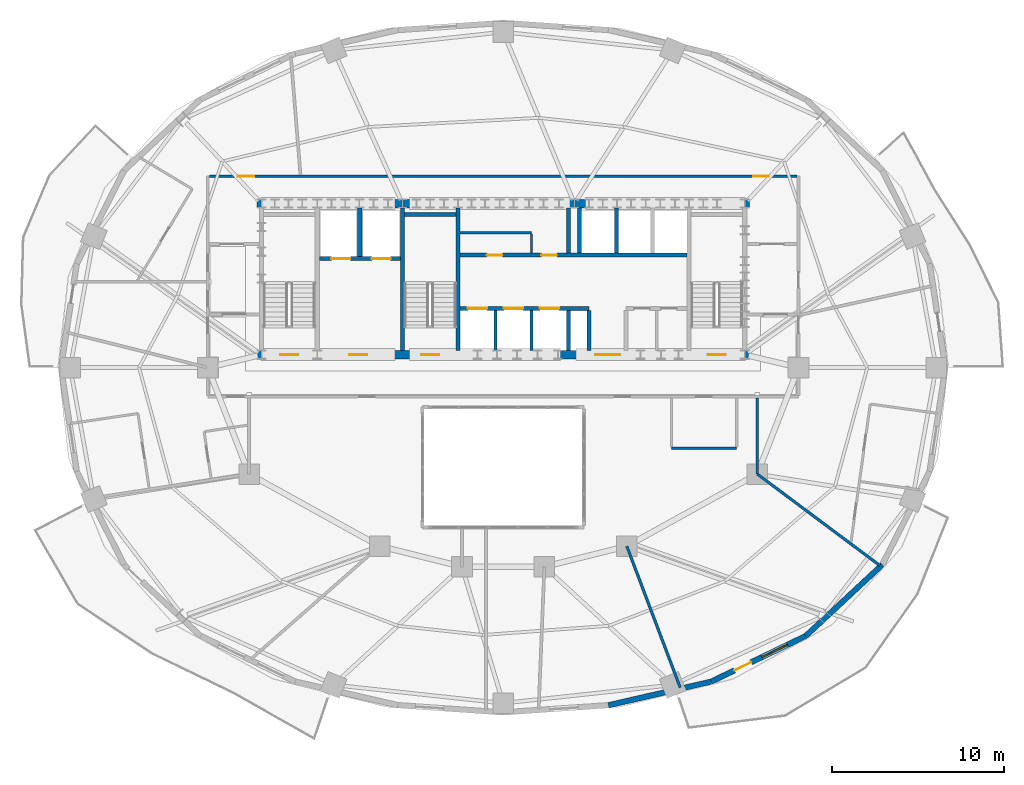
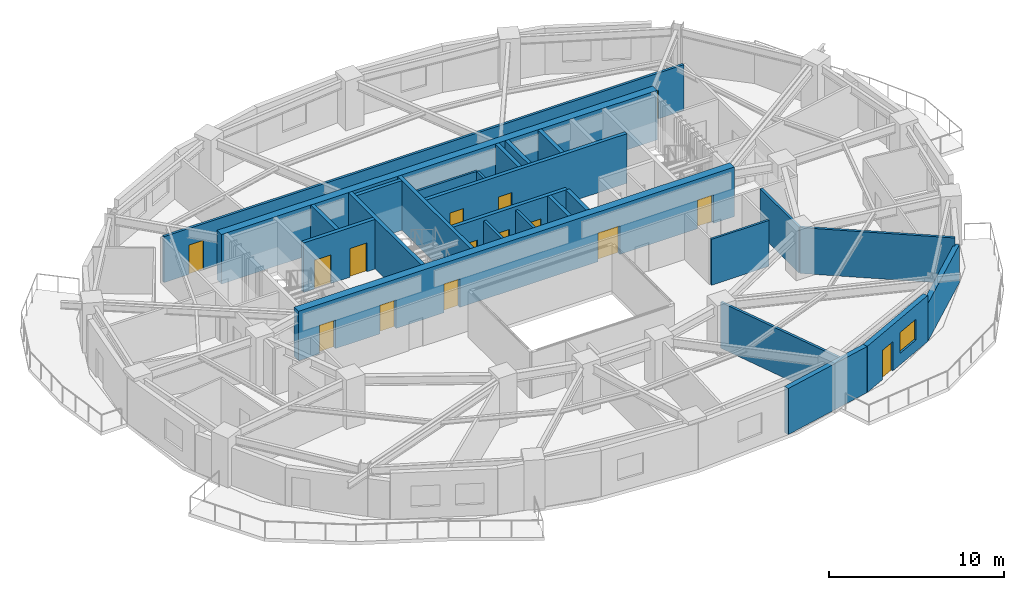
# One storey, part 7 of 12: 26 walls, 15 doors, 1 window, 16 openings.
"""IFC4 building model written with IfcOpenShell, lengths in metres."""

from ifc_helpers import new_model, si_unit, direction, frame, frame_2d, origin, place, context, subcontext, project, spatial, rectangle, extrude, material, layer, layer_set, type_object, element, fill, save


model = new_model("IFC4")

# Units and contexts
model_context = context("Model", 3, precision=1e-05, world=origin(), true_north=direction((0.0, 1.0)))
body_context = subcontext(model_context, "Body", "Model", "MODEL_VIEW")
ifc_project = project(units=[si_unit("LENGTHUNIT", "METRE"), si_unit("AREAUNIT", "SQUARE_METRE"), si_unit("VOLUMEUNIT", "CUBIC_METRE"), si_unit("PLANEANGLEUNIT", "RADIAN"), si_unit("MASSUNIT", "GRAM", prefix="KILO")], contexts=[model_context])

# Site, building, storey
site_placement = place(None, origin())
site = spatial("IfcSite", under=ifc_project, at=site_placement, CompositionType="ELEMENT")
building_placement = place(site_placement, origin())
building = spatial("IfcBuilding", under=site, at=building_placement, Name="Haldorwick Loom Tower", CompositionType="ELEMENT")
storey_placement = place(building_placement, frame((0.0, 0.0, 154.449951171875)))
storey = spatial("IfcBuildingStorey", under=building, at=storey_placement, Name="L41", CompositionType="ELEMENT", Elevation=154.449951171875)

# Wall
ifc_material_1 = material(Name="Pressed Clay Face Brick and Insulated Masonry Backup Assembly", Category="masonry")
ifc_layer_1 = layer(ifc_material_1, 0.320068359375, Name="Pressed Clay Face Brick and Insulated Masonry Backup Assembly", Category="masonry")
ifc_layer_set_1 = layer_set([ifc_layer_1], Name="Pressed Clay Face Brick and Insulated Masonry Backup Assembly")
wall_type_1 = type_object("IfcWallType", Name="ARC-WL-EXT320", PredefinedType="STANDARD", material=ifc_layer_set_1)
wall_1_placement = place(storey_placement, frame((42.12890625, 6.3359375, 0.0), z_axis=(0.0, 0.0, 1.0), x_axis=(0.974593223547, 0.223982250674, 0.0)))
element("IfcWall", 1, at=wall_1_placement, inside=storey, type_object=wall_type_1, Name="L41 Brick Pier and Spandrel Wall 20", PredefinedType="STANDARD", context=body_context, shape_type="SweptSolid", body=[
    extrude(rectangle(XDim=6.138916015625, YDim=0.320068359375, at=frame_2d((3.0693359375, 0.0))), origin(), (0.0, 0.0, 1.0), 3.2099609375),
])

# Wall, openings, door, window
wall_2_placement = place(storey_placement, frame((48.11181640625, 7.7109375, 0.0), z_axis=(0.0, 0.0, 1.0), x_axis=(0.900479976617, 0.434897472644, 0.0)))
wall_2 = element("IfcWall", 2, at=wall_2_placement, inside=storey, type_object=wall_type_1, Name="L41 Brick Pier and Spandrel Wall 21", PredefinedType="STANDARD", context=body_context, shape_type="SweptSolid", body=[
    extrude(rectangle(XDim=6.118408203125, YDim=0.320068359375, at=frame_2d((3.05908203125, 0.0))), origin(), (0.0, 0.0, 1.0), 3.2099609375),
])
opening_1_placement = place(wall_2_placement, frame((1.50634765625, 0.0, 0.0)))
opening_1 = element("IfcOpeningElement", 3, at=opening_1_placement, cuts=wall_2, Name="Opening D-BL11", PredefinedType="OPENING", context=body_context, shape_type="SweptSolid", body=[
    extrude(rectangle(XDim=1.080078125, YDim=2.0400390625, at=frame_2d((0.5400390625, 1.02001953125))), frame((0.0, 0.169921875, 0.0), z_axis=(0.0, -1.0, 0.0), x_axis=(1.0, 0.0, 0.0)), (0.0, 0.0, 1.0), 0.340087890625),
])
opening_2_placement = place(wall_2_placement, frame((3.28662109375, 0.0, 0.800048828125)))
opening_2 = element("IfcOpeningElement", 4, at=opening_2_placement, cuts=wall_2, Name="Opening W-01B", PredefinedType="OPENING", context=body_context, shape_type="SweptSolid", body=[
    extrude(rectangle(XDim=1.64990234375, YDim=1.449951171875, at=frame_2d((0.824951171875, 0.72509765625))), frame((0.0, 0.169921875, 0.0), z_axis=(0.0, -1.0, 0.0), x_axis=(1.0, 0.0, 0.0)), (0.0, 0.0, 1.0), 0.340087890625),
])
ifc_material_2 = material(Name="Thermally Broken Anodized Aluminium Curtain Wall Framing", Category="aluminium")
door_type_1 = type_object("IfcDoorType", Name="ARC-DR-BAL110", OperationType="NOTDEFINED", PredefinedType="DOOR", material=ifc_material_2)
door_1_placement = place(opening_1_placement, origin())
door_1 = element("IfcDoor", 5, at=door_1_placement, inside=storey, type_object=door_type_1, Name="L41 Outdoor Terrace Door SLB-L41-BAL_SE", OperationType="SINGLE_SWING_RIGHT", OverallHeight=2.0400390625, OverallWidth=1.080078125, PredefinedType="DOOR", context=body_context, shape_type="SweptSolid", body=[
    extrude(rectangle(XDim=1.080078125, YDim=2.0400390625, at=frame_2d((0.5400390625, 1.02001953125))), frame((0.0, 0.02490234375, 0.0), z_axis=(0.0, -1.0, 0.0), x_axis=(1.0, 0.0, 0.0)), (0.0, 0.0, 1.0), 0.050048828125),
])
fill(opening_1, door_1)
ifc_material_3 = material(Name="Triple-Glazed Low-E Argon Insulated Glazing Unit", Category="glass")
window_type = type_object("IfcWindowType", Name="ARC-WIN-W165", PartitioningType="SINGLE_PANEL", PredefinedType="WINDOW", material=ifc_material_3)
window_placement = place(opening_2_placement, origin())
window = element("IfcWindow", 6, at=window_placement, inside=storey, type_object=window_type, Name="L41 Deep-Set Zone 7A Window 21", OverallHeight=1.449951171875, OverallWidth=1.64990234375, PartitioningType="SINGLE_PANEL", PredefinedType="WINDOW", context=body_context, shape_type="SweptSolid", body=[
    extrude(rectangle(XDim=1.64990234375, YDim=1.449951171875, at=frame_2d((0.824951171875, 0.72509765625))), frame((0.0, 0.030029296875, 0.0), z_axis=(0.0, -1.0, 0.0), x_axis=(1.0, 0.0, 0.0)), (0.0, 0.0, 1.0), 0.06005859375),
])
fill(opening_2, window)

# Wall
wall_3_placement = place(storey_placement, frame((53.621337890625, 10.371826171875, 0.0), z_axis=(0.0, 0.0, 1.0), x_axis=(0.731982952968, 0.681322945866, 0.0)))
element("IfcWall", 7, at=wall_3_placement, inside=storey, type_object=wall_type_1, Name="L41 Brick Pier and Spandrel Wall 22", PredefinedType="STANDARD", context=body_context, shape_type="SweptSolid", body=[
    extrude(rectangle(XDim=6.086669921875, YDim=0.320068359375, at=frame_2d((3.04345703125, 0.0))), origin(), (0.0, 0.0, 1.0), 2.64111328125),
])

# Wall, openings, doors
ifc_material_4 = material(Name="Fire-Rated Type X Gypsum Stud Assembly EI 60")
ifc_layer_2 = layer(ifc_material_4, 0.159912109375, Name="Fire-Rated Type X Gypsum Stud Assembly EI 60")
ifc_layer_set_2 = layer_set([ifc_layer_2], Name="Fire-Rated Type X Gypsum Stud Assembly EI 60")
wall_type_2 = type_object("IfcWallType", Name="ARC-WL-FIRE160", PredefinedType="PARTITIONING", material=ifc_layer_set_2)
wall_4_placement = place(storey_placement, frame((18.883056640625, 37.14990234375, 0.0), z_axis=(0.0, 0.0, 1.0), x_axis=(1.0, 0.0, 0.0)))
wall_4 = element("IfcWall", 8, at=wall_4_placement, inside=storey, type_object=wall_type_2, Name="L41 Residential Fire Partition L41-CR-N0", PredefinedType="PARTITIONING", context=body_context, shape_type="SweptSolid", body=[
    extrude(rectangle(XDim=34.23388671875, YDim=0.159912109375, at=frame_2d((17.116943359375, 0.0))), origin(), (0.0, 0.0, 1.0), 3.195068359375),
])
opening_3_placement = place(wall_4_placement, frame((31.67431640625, 0.0, 0.0)))
opening_3 = element("IfcOpeningElement", 9, at=opening_3_placement, cuts=wall_4, Name="Opening D-FD60A", PredefinedType="OPENING", context=body_context, shape_type="SweptSolid", body=[
    extrude(rectangle(XDim=0.89990234375, YDim=2.0, at=frame_2d((0.449951171875, 1.0))), frame((0.0, 0.08984375, 0.0), z_axis=(0.0, -1.0, 0.0), x_axis=(1.0, 0.0, 0.0)), (0.0, 0.0, 1.0), 0.179931640625),
])
opening_4_placement = place(wall_4_placement, frame((1.663330078125, 0.0, 0.0)))
opening_4 = element("IfcOpeningElement", 10, at=opening_4_placement, cuts=wall_4, Name="Opening D-FL95", PredefinedType="OPENING", context=body_context, shape_type="SweptSolid", body=[
    extrude(rectangle(XDim=0.949951171875, YDim=2.0400390625, at=frame_2d((0.47509765625, 1.02001953125))), frame((0.0, 0.08984375, 0.0), z_axis=(0.0, -1.0, 0.0), x_axis=(1.0, 0.0, 0.0)), (0.0, 0.0, 1.0), 0.179931640625),
])
ifc_material_5 = material(Name="Hollow Steel Fire Door Assembly", Category="steel")
door_type_2 = type_object("IfcDoorType", Name="ARC-DR-FD60-90", OperationType="NOTDEFINED", PredefinedType="DOOR", material=ifc_material_5)
door_2_placement = place(opening_3_placement, frame((0.89990234375, 0.0, 0.0), z_axis=(0.0, 0.0, 1.0), x_axis=(-1.0, 0.0, 0.0)))
door_2 = element("IfcDoor", 11, at=door_2_placement, inside=storey, type_object=door_type_2, Name="L41 Co-Working Open Office 7 to L41 North Residential Corridor Door", OperationType="SINGLE_SWING_RIGHT", OverallHeight=2.0, OverallWidth=0.89990234375, PredefinedType="DOOR", context=body_context, shape_type="SweptSolid", body=[
    extrude(rectangle(XDim=0.89990234375, YDim=2.0, at=frame_2d((0.449951171875, 1.0))), frame((0.0, 0.02490234375, 0.0), z_axis=(0.0, -1.0, 0.0), x_axis=(1.0, 0.0, 0.0)), (0.0, 0.0, 1.0), 0.050048828125),
])
fill(opening_3, door_2)
ifc_material_6 = material(Name="Solid Core Birch Architectural Door")
door_type_3 = type_object("IfcDoorType", Name="ARC-DR-FLAT95", OperationType="NOTDEFINED", PredefinedType="DOOR", material=ifc_material_6)
door_3_placement = place(opening_4_placement, frame((0.949951171875, 0.0, 0.0), z_axis=(0.0, 0.0, 1.0), x_axis=(-1.0, 0.0, 0.0)))
door_3 = element("IfcDoor", 12, at=door_3_placement, inside=storey, type_object=door_type_3, Name="L41 Unit 41B Kitchen and Studio Living Room to L41 North Residential Cor", OperationType="SINGLE_SWING_RIGHT", OverallHeight=2.0400390625, OverallWidth=0.949951171875, PredefinedType="DOOR", context=body_context, shape_type="SweptSolid", body=[
    extrude(rectangle(XDim=0.949951171875, YDim=2.0400390625, at=frame_2d((0.47509765625, 1.02001953125))), frame((0.0, 0.02490234375, 0.0), z_axis=(0.0, -1.0, 0.0), x_axis=(1.0, 0.0, 0.0)), (0.0, 0.0, 1.0), 0.050048828125),
])
fill(opening_4, door_3)

# Walls
wall_5_placement = place(storey_placement, frame((50.800048828125, 19.800048828125, 0.0), z_axis=(0.0, 0.0, 1.0), x_axis=(0.801455478529, -0.598054442284, 0.0)))
element("IfcWall", 13, at=wall_5_placement, inside=storey, type_object=wall_type_2, Name="L41 Residential Fire Partition L41-ICR-02", PredefinedType="PARTITIONING", context=body_context, shape_type="SweptSolid", body=[
    extrude(rectangle(XDim=8.902587890625, YDim=0.159912109375, at=frame_2d((4.451171875, 0.0))), origin(), (0.0, 0.0, 1.0), 3.195068359375),
])
wall_6_placement = place(storey_placement, frame((43.199951171875, 15.60009765625, 0.0), z_axis=(0.0, 0.0, 1.0), x_axis=(0.353392479759, -0.935475149456, 0.0)))
element("IfcWall", 14, at=wall_6_placement, inside=storey, type_object=wall_type_2, Name="L41 Residential Fire Partition L41-ICR-04", PredefinedType="PARTITIONING", context=body_context, shape_type="SweptSolid", body=[
    extrude(rectangle(XDim=8.80419921875, YDim=0.159912109375, at=frame_2d((4.402099609375, 0.0))), origin(), (0.0, 0.0, 1.0), 3.195068359375),
])
wall_7_placement = place(storey_placement, frame((50.800048828125, 24.217041015625, 0.0), z_axis=(0.0, 0.0, 1.0), x_axis=(0.0, -1.0, 0.0)))
element("IfcWall", 15, at=wall_7_placement, inside=storey, type_object=wall_type_2, Name="L41 Residential Fire Partition L41-ICA-01", PredefinedType="PARTITIONING", context=body_context, shape_type="SweptSolid", body=[
    extrude(rectangle(XDim=4.4169921875, YDim=0.159912109375, at=frame_2d((2.20849609375, 0.0))), origin(), (0.0, 0.0, 1.0), 3.195068359375),
])
ifc_layer_3 = layer(ifc_material_4, 0.139892578125, Name="Fire-Rated Type X Gypsum Stud Assembly EI 60")
ifc_layer_set_3 = layer_set([ifc_layer_3], Name="Fire-Rated Type X Gypsum Stud Assembly EI 60")
wall_type_3 = type_object("IfcWallType", Name="ARC-WL-PART140", PredefinedType="PARTITIONING", material=ifc_layer_set_3)
wall_8_placement = place(storey_placement, frame((33.492919921875, 33.85009765625, 0.0), z_axis=(0.0, 0.0, 1.0), x_axis=(1.0, 0.0, 0.0)))
element("IfcWall", 16, at=wall_8_placement, inside=storey, type_object=wall_type_3, Name="L41 Storage South Partition", PredefinedType="PARTITIONING", context=body_context, shape_type="SweptSolid", body=[
    extrude(rectangle(XDim=4.156982421875, YDim=0.139892578125, at=frame_2d((2.07861328125, 0.0))), origin(), (0.0, 0.0, 1.0), 3.195068359375),
])
wall_9_placement = place(storey_placement, frame((37.64990234375, 32.673095703125, 0.0), z_axis=(0.0, 0.0, 1.0), x_axis=(0.0, 1.0, 0.0)))
element("IfcWall", 17, at=wall_9_placement, inside=storey, type_object=wall_type_3, Name="L41 Storage East Partition", PredefinedType="PARTITIONING", context=body_context, shape_type="SweptSolid", body=[
    extrude(rectangle(XDim=1.10400390625, YDim=0.139892578125, at=frame_2d((0.552001953125, 0.0))), origin(), (0.0, 0.0, 1.0), 3.195068359375),
])
wall_10_placement = place(storey_placement, frame((45.800048828125, 21.300048828125, 0.0), z_axis=(0.0, 0.0, 1.0), x_axis=(1.0, 0.0, 0.0)))
element("IfcWall", 18, at=wall_10_placement, inside=storey, type_object=wall_type_3, Name="L41 Residential Fire Partition L41-CWC-S", PredefinedType="PARTITIONING", context=body_context, shape_type="SweptSolid", body=[
    extrude(rectangle(XDim=3.800048828125, YDim=0.139892578125, at=frame_2d((1.89990234375, 0.0))), origin(), (0.0, 0.0, 1.0), 3.195068359375),
])
ifc_material_7 = material(Name="Fire-Rated Type X Gypsum Stud Assembly EI 120")
ifc_layer_4 = layer(ifc_material_7, 0.1650390625, Name="Fire-Rated Type X Gypsum Stud Assembly EI 120")
ifc_layer_set_4 = layer_set([ifc_layer_4], Name="Fire-Rated Type X Gypsum Stud Assembly EI 120")
wall_type_4 = type_object("IfcWallType", Name="ARC-WL-SHAFT160", PredefinedType="MOVABLE", material=ifc_layer_set_4)
for number, where, z_axis, x_axis, name in (
    (19, (35.550048828125, 27.0029296875, 0.0), (0.0, 0.0, 1.0), (0.0, 1.0, 0.0), "L41 Mid-Rise Hoistway Divider 1"),
    (20, (37.64990234375, 27.0029296875, 0.0), (0.0, 0.0, 1.0), (0.0, 1.0, 0.0), "L41 Mid-Rise Hoistway Divider 2"),
):
    element("IfcWall", number, at=place(storey_placement, frame(where, z_axis=z_axis, x_axis=x_axis)), inside=storey, type_object=wall_type_4, Name=name, PredefinedType="MOVABLE", context=body_context, shape_type="SweptSolid", body=[
        extrude(rectangle(XDim=2.323974609375, YDim=0.159912109375, at=frame_2d((1.162109375, 0.0))), origin(), (0.0, 0.0, 1.0), 3.195068359375),
    ])

# Wall, openings, doors
ifc_material_8 = material(Name="Concrete C60 (60 MPa)", Category="concrete")
ifc_layer_5 = layer(ifc_material_8, 0.5, Name="Concrete C60 (60 MPa)", Category="concrete")
ifc_layer_set_5 = layer_set([ifc_layer_5], Name="Concrete C60 (60 MPa)")
wall_type_5 = type_object("IfcWallType", Name="STR-WL-CORE500", PredefinedType="SHEAR", material=ifc_layer_set_5)
wall_11_placement = place(storey_placement, frame((21.64990234375, 26.75, 0.0), z_axis=(0.0, 0.0, 1.0), x_axis=(1.0, 0.0, 0.0)))
wall_11 = element("IfcWall", 21, at=wall_11_placement, inside=storey, type_object=wall_type_5, Name="L41 Core Shear Wall S", PredefinedType="SHEAR", context=body_context, shape_type="SweptSolid", body=[
    extrude(rectangle(XDim=28.7001953125, YDim=0.5, at=frame_2d((14.35009765625, 0.0))), origin(), (0.0, 0.0, 1.0), 3.449951171875),
])
opening_5_placement = place(wall_11_placement, frame((1.375, 0.0, 0.0)))
opening_5 = element("IfcOpeningElement", 22, at=opening_5_placement, cuts=wall_11, Name="Opening D-FD60", PredefinedType="OPENING", context=body_context, shape_type="SweptSolid", body=[
    extrude(rectangle(XDim=1.050048828125, YDim=2.0, at=frame_2d((0.52490234375, 1.0))), frame((0.0, 0.260009765625, 0.0), z_axis=(0.0, -1.0, 0.0), x_axis=(1.0, 0.0, 0.0)), (0.0, 0.0, 1.0), 0.52001953125),
])
opening_6_placement = place(wall_11_placement, frame((5.375, 0.0, 0.0)))
opening_6 = element("IfcOpeningElement", 23, at=opening_6_placement, cuts=wall_11, Name="Opening D-FD60", PredefinedType="OPENING", context=body_context, shape_type="SweptSolid", body=[
    extrude(rectangle(XDim=1.050048828125, YDim=2.0, at=frame_2d((0.52490234375, 1.0))), frame((0.0, 0.260009765625, 0.0), z_axis=(0.0, -1.0, 0.0), x_axis=(1.0, 0.0, 0.0)), (0.0, 0.0, 1.0), 0.52001953125),
])
opening_7_placement = place(wall_11_placement, frame((9.574951171875, 0.0, 0.0)))
opening_7 = element("IfcOpeningElement", 24, at=opening_7_placement, cuts=wall_11, Name="Opening D-FD60", PredefinedType="OPENING", context=body_context, shape_type="SweptSolid", body=[
    extrude(rectangle(XDim=1.050048828125, YDim=2.0, at=frame_2d((0.52490234375, 1.0))), frame((0.0, 0.260009765625, 0.0), z_axis=(0.0, -1.0, 0.0), x_axis=(1.0, 0.0, 0.0)), (0.0, 0.0, 1.0), 0.52001953125),
])
opening_8_placement = place(wall_11_placement, frame((19.705078125, 0.0, 0.0)))
opening_8 = element("IfcOpeningElement", 25, at=opening_8_placement, cuts=wall_11, Name="Opening D-LB15", PredefinedType="OPENING", context=body_context, shape_type="SweptSolid", body=[
    extrude(rectangle(XDim=1.449951171875, YDim=2.0, at=frame_2d((0.72509765625, 1.0))), frame((0.0, 0.260009765625, 0.0), z_axis=(0.0, -1.0, 0.0), x_axis=(1.0, 0.0, 0.0)), (0.0, 0.0, 1.0), 0.52001953125),
])
opening_9_placement = place(wall_11_placement, frame((26.27490234375, 0.0, 0.0)))
opening_9 = element("IfcOpeningElement", 26, at=opening_9_placement, cuts=wall_11, Name="Opening D-FD60", PredefinedType="OPENING", context=body_context, shape_type="SweptSolid", body=[
    extrude(rectangle(XDim=1.050048828125, YDim=2.0, at=frame_2d((0.52490234375, 1.0))), frame((0.0, 0.260009765625, 0.0), z_axis=(0.0, -1.0, 0.0), x_axis=(1.0, 0.0, 0.0)), (0.0, 0.0, 1.0), 0.52001953125),
])
door_type_4 = type_object("IfcDoorType", Name="ARC-DR-FD60", OperationType="NOTDEFINED", PredefinedType="DOOR", material=ifc_material_5)
door_4_placement = place(opening_5_placement, origin())
door_4 = element("IfcDoor", 27, at=door_4_placement, inside=storey, type_object=door_type_4, Name="L41 Exit Stair ST-01 Fire Door", OperationType="SINGLE_SWING_LEFT", OverallHeight=2.0, OverallWidth=1.050048828125, PredefinedType="DOOR", context=body_context, shape_type="SweptSolid", body=[
    extrude(rectangle(XDim=1.050048828125, YDim=2.0, at=frame_2d((0.52490234375, 1.0))), frame((0.0, 0.02490234375, 0.0), z_axis=(0.0, -1.0, 0.0), x_axis=(1.0, 0.0, 0.0)), (0.0, 0.0, 1.0), 0.050048828125),
])
fill(opening_5, door_4)
door_5_placement = place(opening_6_placement, origin())
door_5 = element("IfcDoor", 28, at=door_5_placement, inside=storey, type_object=door_type_4, Name="L41 Firefighting Lift Lobby Fire Door", OperationType="SINGLE_SWING_RIGHT", OverallHeight=2.0, OverallWidth=1.050048828125, PredefinedType="DOOR", context=body_context, shape_type="SweptSolid", body=[
    extrude(rectangle(XDim=1.050048828125, YDim=2.0, at=frame_2d((0.52490234375, 1.0))), frame((0.0, 0.02490234375, 0.0), z_axis=(0.0, -1.0, 0.0), x_axis=(1.0, 0.0, 0.0)), (0.0, 0.0, 1.0), 0.050048828125),
])
fill(opening_6, door_5)
door_6_placement = place(opening_7_placement, origin())
door_6 = element("IfcDoor", 29, at=door_6_placement, inside=storey, type_object=door_type_4, Name="L41 Exit Stair ST-03 Fire Door", OperationType="SINGLE_SWING_LEFT", OverallHeight=2.0, OverallWidth=1.050048828125, PredefinedType="DOOR", context=body_context, shape_type="SweptSolid", body=[
    extrude(rectangle(XDim=1.050048828125, YDim=2.0, at=frame_2d((0.52490234375, 1.0))), frame((0.0, 0.02490234375, 0.0), z_axis=(0.0, -1.0, 0.0), x_axis=(1.0, 0.0, 0.0)), (0.0, 0.0, 1.0), 0.050048828125),
])
fill(opening_7, door_6)
door_7_placement = place(opening_9_placement, origin())
door_7 = element("IfcDoor", 30, at=door_7_placement, inside=storey, type_object=door_type_4, Name="L41 Exit Stair ST-02 Fire Door", OperationType="SINGLE_SWING_LEFT", OverallHeight=2.0, OverallWidth=1.050048828125, PredefinedType="DOOR", context=body_context, shape_type="SweptSolid", body=[
    extrude(rectangle(XDim=1.050048828125, YDim=2.0, at=frame_2d((0.52490234375, 1.0))), frame((0.0, 0.02490234375, 0.0), z_axis=(0.0, -1.0, 0.0), x_axis=(1.0, 0.0, 0.0)), (0.0, 0.0, 1.0), 0.050048828125),
])
fill(opening_9, door_7)
ifc_material_9 = material(Name="Thermally Broken Anodized Aluminium and Tempered Glass", Category="aluminium")
door_type_5 = type_object("IfcDoorType", Name="ARC-DR-LOB150", OperationType="NOTDEFINED", PredefinedType="DOOR", material=ifc_material_9)
door_8_placement = place(opening_8_placement, frame((1.449951171875, 0.0, 0.0), z_axis=(0.0, 0.0, 1.0), x_axis=(-1.0, 0.0, 0.0)))
door_8 = element("IfcDoor", 31, at=door_8_placement, inside=storey, type_object=door_type_5, Name="L41 Passenger Lift Lobby Fire Door", OperationType="DOUBLE_DOOR_SINGLE_SWING", OverallHeight=2.0, OverallWidth=1.449951171875, PredefinedType="DOOR", context=body_context, shape_type="SweptSolid", body=[
    extrude(rectangle(XDim=1.449951171875, YDim=2.0, at=frame_2d((0.72509765625, 1.0))), frame((0.0, 0.02490234375, 0.0), z_axis=(0.0, -1.0, 0.0), x_axis=(1.0, 0.0, 0.0)), (0.0, 0.0, 1.0), 0.050048828125),
])
fill(opening_8, door_8)

# Walls
wall_12_placement = place(storey_placement, frame((50.35009765625, 35.550048828125, 0.0), z_axis=(0.0, 0.0, 1.0), x_axis=(-1.0, 0.0, 0.0)))
element("IfcWall", 32, at=wall_12_placement, inside=storey, type_object=wall_type_5, Name="L41 Core Shear Wall N", PredefinedType="SHEAR", context=body_context, shape_type="SweptSolid", body=[
    extrude(rectangle(XDim=28.7001953125, YDim=0.5, at=frame_2d((14.35009765625, 0.0))), origin(), (0.0, 0.0, 1.0), 3.449951171875),
])
ifc_material_10 = material(Name="Concrete C50 (50 MPa)", Category="concrete")
ifc_layer_6 = layer(ifc_material_10, 0.239990234375, Name="Concrete C50 (50 MPa)", Category="concrete")
ifc_layer_set_6 = layer_set([ifc_layer_6], Name="Concrete C50 (50 MPa)")
wall_type_6 = type_object("IfcWallType", Name="STR-WL-SHAFT240", PredefinedType="SHEAR", material=ifc_layer_set_6)
for number, where, z_axis, x_axis, name in (
    (33, (30.1298828125, 27.0029296875, 0.0), (0.0, 0.0, 1.0), (0.0, 1.0, 0.0), "L41 Core Shear Wall 2"),
    (34, (33.3701171875, 27.0029296875, 0.0), (0.0, 0.0, 1.0), (0.0, 1.0, 0.0), "L41 Core Shear Wall 3"),
):
    element("IfcWall", number, at=place(storey_placement, frame(where, z_axis=z_axis, x_axis=x_axis)), inside=storey, type_object=wall_type_6, Name=name, PredefinedType="SHEAR", context=body_context, shape_type="SweptSolid", body=[
        extrude(rectangle(XDim=8.294189453125, YDim=0.239990234375, at=frame_2d((4.14697265625, 0.0))), origin(), (0.0, 0.0, 1.0), 3.449951171875),
    ])
wall_13_placement = place(storey_placement, frame((30.2529296875, 34.919921875, 0.0), z_axis=(0.0, 0.0, 1.0), x_axis=(1.0, 0.0, 0.0)))
element("IfcWall", 35, at=wall_13_placement, inside=storey, type_object=wall_type_6, Name="L41 Core Shear Wall 3N", PredefinedType="SHEAR", context=body_context, shape_type="SweptSolid", body=[
    extrude(rectangle(XDim=2.994140625, YDim=0.239990234375, at=frame_2d((1.4970703125, 0.0))), origin(), (0.0, 0.0, 1.0), 3.449951171875),
])

# Wall, openings, doors
wall_14_placement = place(storey_placement, frame((25.29296875, 32.35009765625, 0.0), z_axis=(0.0, 0.0, 1.0), x_axis=(1.0, 0.0, 0.0)))
wall_14 = element("IfcWall", 36, at=wall_14_placement, inside=storey, type_object=wall_type_6, Name="L41 Core Shear Wall FF", PredefinedType="SHEAR", context=body_context, shape_type="SweptSolid", body=[
    extrude(rectangle(XDim=4.714111328125, YDim=0.239990234375, at=frame_2d((2.35693359375, 0.0))), origin(), (0.0, 0.0, 1.0), 3.449951171875),
])
opening_10_placement = place(wall_14_placement, frame((0.70703125, 0.0, 0.0)))
opening_10 = element("IfcOpeningElement", 37, at=opening_10_placement, cuts=wall_14, Name="Opening LD-FF1", PredefinedType="OPENING", context=body_context, shape_type="SweptSolid", body=[
    extrude(rectangle(XDim=1.10009765625, YDim=2.0, at=frame_2d((0.550048828125, 1.0))), frame((0.0, 0.1298828125, 0.0), z_axis=(0.0, -1.0, 0.0), x_axis=(1.0, 0.0, 0.0)), (0.0, 0.0, 1.0), 0.260009765625),
])
opening_11_placement = place(wall_14_placement, frame((3.056884765625, 0.0, 0.0)))
opening_11 = element("IfcOpeningElement", 38, at=opening_11_placement, cuts=wall_14, Name="Opening LD-FF2", PredefinedType="OPENING", context=body_context, shape_type="SweptSolid", body=[
    extrude(rectangle(XDim=1.10009765625, YDim=2.0, at=frame_2d((0.550048828125, 1.0))), frame((0.0, 0.1298828125, 0.0), z_axis=(0.0, -1.0, 0.0), x_axis=(1.0, 0.0, 0.0)), (0.0, 0.0, 1.0), 0.260009765625),
])
door_type_6 = type_object("IfcDoorType", Name="ARC-DR-LD-FF", OperationType="NOTDEFINED", PredefinedType="USERDEFINED", material=ifc_material_5)
door_9_placement = place(opening_10_placement, origin())
door_9 = element("IfcDoor", 39, at=door_9_placement, inside=storey, type_object=door_type_6, Name="L41 Lift LF-FF1 Sliding Landing Door", ObjectType="LANDING DOOR", OperationType="DOUBLE_DOOR_SLIDING", OverallHeight=2.0, OverallWidth=1.10009765625, PredefinedType="USERDEFINED", context=body_context, shape_type="SweptSolid", body=[
    extrude(rectangle(XDim=1.10009765625, YDim=2.0, at=frame_2d((0.550048828125, 1.0))), frame((0.0, 0.02490234375, 0.0), z_axis=(0.0, -1.0, 0.0), x_axis=(1.0, 0.0, 0.0)), (0.0, 0.0, 1.0), 0.050048828125),
])
fill(opening_10, door_9)
door_10_placement = place(opening_11_placement, origin())
door_10 = element("IfcDoor", 40, at=door_10_placement, inside=storey, type_object=door_type_6, Name="L41 Lift LF-FF2 Sliding Landing Door", ObjectType="LANDING DOOR", OperationType="DOUBLE_DOOR_SLIDING", OverallHeight=2.0, OverallWidth=1.10009765625, PredefinedType="USERDEFINED", context=body_context, shape_type="SweptSolid", body=[
    extrude(rectangle(XDim=1.10009765625, YDim=2.0, at=frame_2d((0.550048828125, 1.0))), frame((0.0, 0.02490234375, 0.0), z_axis=(0.0, -1.0, 0.0), x_axis=(1.0, 0.0, 0.0)), (0.0, 0.0, 1.0), 0.050048828125),
])
fill(opening_11, door_10)

# Wall
wall_15_placement = place(storey_placement, frame((27.64990234375, 32.472900390625, 0.0), z_axis=(0.0, 0.0, 1.0), x_axis=(0.0, 1.0, 0.0)))
element("IfcWall", 41, at=wall_15_placement, inside=storey, type_object=wall_type_6, Name="L41 Core Shear Wall FFD", PredefinedType="SHEAR", context=body_context, shape_type="SweptSolid", body=[
    extrude(rectangle(XDim=2.82421875, YDim=0.239990234375, at=frame_2d((1.412109375, 0.0))), origin(), (0.0, 0.0, 1.0), 3.449951171875),
])

# Wall, openings, doors
wall_16_placement = place(storey_placement, frame((33.492919921875, 32.550048828125, 0.0), z_axis=(0.0, 0.0, 1.0), x_axis=(1.0, 0.0, 0.0)))
wall_16 = element("IfcWall", 42, at=wall_16_placement, inside=storey, type_object=wall_type_6, Name="L41 Core Shear Wall LN", PredefinedType="SHEAR", context=body_context, shape_type="SweptSolid", body=[
    extrude(rectangle(XDim=13.214111328125, YDim=0.239990234375, at=frame_2d((6.60693359375, 0.0))), origin(), (0.0, 0.0, 1.0), 3.449951171875),
])
opening_12_placement = place(wall_16_placement, frame((1.556884765625, 0.0, 0.0)))
opening_12 = element("IfcOpeningElement", 43, at=opening_12_placement, cuts=wall_16, Name="Opening D-FD60A", PredefinedType="OPENING", context=body_context, shape_type="SweptSolid", body=[
    extrude(rectangle(XDim=0.89990234375, YDim=2.0, at=frame_2d((0.449951171875, 1.0))), frame((0.0, 0.1298828125, 0.0), z_axis=(0.0, -1.0, 0.0), x_axis=(1.0, 0.0, 0.0)), (0.0, 0.0, 1.0), 0.260009765625),
])
opening_13_placement = place(wall_16_placement, frame((4.737060546875, 0.0, 0.0)))
opening_13 = element("IfcOpeningElement", 44, at=opening_13_placement, cuts=wall_16, Name="Opening D-FD60A", PredefinedType="OPENING", context=body_context, shape_type="SweptSolid", body=[
    extrude(rectangle(XDim=0.89990234375, YDim=2.0, at=frame_2d((0.449951171875, 1.0))), frame((0.0, 0.1298828125, 0.0), z_axis=(0.0, -1.0, 0.0), x_axis=(1.0, 0.0, 0.0)), (0.0, 0.0, 1.0), 0.260009765625),
])
door_11_placement = place(opening_12_placement, frame((0.89990234375, 0.0, 0.0), z_axis=(0.0, 0.0, 1.0), x_axis=(-1.0, 0.0, 0.0)))
door_11 = element("IfcDoor", 45, at=door_11_placement, inside=storey, type_object=door_type_2, Name="L41 Resident Storage Door", OperationType="SINGLE_SWING_LEFT", OverallHeight=2.0, OverallWidth=0.89990234375, PredefinedType="DOOR", context=body_context, shape_type="SweptSolid", body=[
    extrude(rectangle(XDim=0.89990234375, YDim=2.0, at=frame_2d((0.449951171875, 1.0))), frame((0.0, 0.02490234375, 0.0), z_axis=(0.0, -1.0, 0.0), x_axis=(1.0, 0.0, 0.0)), (0.0, 0.0, 1.0), 0.050048828125),
])
fill(opening_12, door_11)
door_12_placement = place(opening_13_placement, frame((0.89990234375, 0.0, 0.0), z_axis=(0.0, 0.0, 1.0), x_axis=(-1.0, 0.0, 0.0)))
door_12 = element("IfcDoor", 46, at=door_12_placement, inside=storey, type_object=door_type_2, Name="L41 Laundry Door", OperationType="SINGLE_SWING_RIGHT", OverallHeight=2.0, OverallWidth=0.89990234375, PredefinedType="DOOR", context=body_context, shape_type="SweptSolid", body=[
    extrude(rectangle(XDim=0.89990234375, YDim=2.0, at=frame_2d((0.449951171875, 1.0))), frame((0.0, 0.02490234375, 0.0), z_axis=(0.0, -1.0, 0.0), x_axis=(1.0, 0.0, 0.0)), (0.0, 0.0, 1.0), 0.050048828125),
])
fill(opening_13, door_12)

wall_17_placement = place(storey_placement, frame((33.492919921875, 29.449951171875, 0.0), z_axis=(0.0, 0.0, 1.0), x_axis=(1.0, 0.0, 0.0)))
wall_17 = element("IfcWall", 47, at=wall_17_placement, inside=storey, type_object=wall_type_6, Name="L41 Core Shear Wall LS1", PredefinedType="SHEAR", context=body_context, shape_type="SweptSolid", body=[
    extrude(rectangle(XDim=7.507080078125, YDim=0.239990234375, at=frame_2d((3.75341796875, 0.0))), origin(), (0.0, 0.0, 1.0), 3.449951171875),
])
opening_14_placement = place(wall_17_placement, frame((0.447021484375, 0.0, 0.0)))
opening_14 = element("IfcOpeningElement", 48, at=opening_14_placement, cuts=wall_17, Name="Opening LD-M1", PredefinedType="OPENING", context=body_context, shape_type="SweptSolid", body=[
    extrude(rectangle(XDim=1.1201171875, YDim=2.0, at=frame_2d((0.56005859375, 1.0))), frame((0.0, 0.1298828125, 0.0), z_axis=(0.0, -1.0, 0.0), x_axis=(1.0, 0.0, 0.0)), (0.0, 0.0, 1.0), 0.260009765625),
])
opening_15_placement = place(wall_17_placement, frame((2.547119140625, 0.0, 0.0)))
opening_15 = element("IfcOpeningElement", 49, at=opening_15_placement, cuts=wall_17, Name="Opening LD-M2", PredefinedType="OPENING", context=body_context, shape_type="SweptSolid", body=[
    extrude(rectangle(XDim=1.1201171875, YDim=2.0, at=frame_2d((0.56005859375, 1.0))), frame((0.0, 0.1298828125, 0.0), z_axis=(0.0, -1.0, 0.0), x_axis=(1.0, 0.0, 0.0)), (0.0, 0.0, 1.0), 0.260009765625),
])
opening_16_placement = place(wall_17_placement, frame((4.64697265625, 0.0, 0.0)))
opening_16 = element("IfcOpeningElement", 50, at=opening_16_placement, cuts=wall_17, Name="Opening LD-M3", PredefinedType="OPENING", context=body_context, shape_type="SweptSolid", body=[
    extrude(rectangle(XDim=1.1201171875, YDim=2.0, at=frame_2d((0.56005859375, 1.0))), frame((0.0, 0.1298828125, 0.0), z_axis=(0.0, -1.0, 0.0), x_axis=(1.0, 0.0, 0.0)), (0.0, 0.0, 1.0), 0.260009765625),
])
door_type_7 = type_object("IfcDoorType", Name="ARC-DR-LD-PAX", OperationType="NOTDEFINED", PredefinedType="USERDEFINED", material=ifc_material_5)
door_13_placement = place(opening_14_placement, origin())
door_13 = element("IfcDoor", 51, at=door_13_placement, inside=storey, type_object=door_type_7, Name="L41 Lift LF-M1 Sliding Landing Door", ObjectType="LANDING DOOR", OperationType="DOUBLE_DOOR_SLIDING", OverallHeight=2.0, OverallWidth=1.1201171875, PredefinedType="USERDEFINED", context=body_context, shape_type="SweptSolid", body=[
    extrude(rectangle(XDim=1.1201171875, YDim=2.0, at=frame_2d((0.56005859375, 1.0))), frame((0.0, 0.02490234375, 0.0), z_axis=(0.0, -1.0, 0.0), x_axis=(1.0, 0.0, 0.0)), (0.0, 0.0, 1.0), 0.050048828125),
])
fill(opening_14, door_13)
door_14_placement = place(opening_15_placement, origin())
door_14 = element("IfcDoor", 52, at=door_14_placement, inside=storey, type_object=door_type_7, Name="L41 Lift LF-M2 Sliding Landing Door", ObjectType="LANDING DOOR", OperationType="DOUBLE_DOOR_SLIDING", OverallHeight=2.0, OverallWidth=1.1201171875, PredefinedType="USERDEFINED", context=body_context, shape_type="SweptSolid", body=[
    extrude(rectangle(XDim=1.1201171875, YDim=2.0, at=frame_2d((0.56005859375, 1.0))), frame((0.0, 0.02490234375, 0.0), z_axis=(0.0, -1.0, 0.0), x_axis=(1.0, 0.0, 0.0)), (0.0, 0.0, 1.0), 0.050048828125),
])
fill(opening_15, door_14)
door_15_placement = place(opening_16_placement, origin())
door_15 = element("IfcDoor", 53, at=door_15_placement, inside=storey, type_object=door_type_7, Name="L41 Lift LF-M3 Sliding Landing Door", ObjectType="LANDING DOOR", OperationType="DOUBLE_DOOR_SLIDING", OverallHeight=2.0, OverallWidth=1.1201171875, PredefinedType="USERDEFINED", context=body_context, shape_type="SweptSolid", body=[
    extrude(rectangle(XDim=1.1201171875, YDim=2.0, at=frame_2d((0.56005859375, 1.0))), frame((0.0, 0.02490234375, 0.0), z_axis=(0.0, -1.0, 0.0), x_axis=(1.0, 0.0, 0.0)), (0.0, 0.0, 1.0), 0.050048828125),
])
fill(opening_16, door_15)

# Walls
wall_18_placement = place(storey_placement, frame((41.0, 27.0029296875, 0.0), z_axis=(0.0, 0.0, 1.0), x_axis=(0.0, 1.0, 0.0)))
element("IfcWall", 54, at=wall_18_placement, inside=storey, type_object=wall_type_6, Name="L41 Core Shear Wall THW", PredefinedType="SHEAR", context=body_context, shape_type="SweptSolid", body=[
    extrude(rectangle(XDim=2.323974609375, YDim=0.239990234375, at=frame_2d((1.162109375, 0.0))), origin(), (0.0, 0.0, 1.0), 3.449951171875),
])
for number, where, z_axis, x_axis, name in (
    (55, (39.800048828125, 32.673095703125, 0.0), (0.0, 0.0, 1.0), (0.0, 1.0, 0.0), "L41 Core Shear Wall LHW"),
    (56, (40.449951171875, 32.673095703125, 0.0), (0.0, 0.0, 1.0), (0.0, 1.0, 0.0), "L41 Core Shear Wall H0"),
    (57, (42.60009765625, 32.673095703125, 0.0), (0.0, 0.0, 1.0), (0.0, 1.0, 0.0), "L41 Core Shear Wall H1"),
):
    element("IfcWall", number, at=place(storey_placement, frame(where, z_axis=z_axis, x_axis=x_axis)), inside=storey, type_object=wall_type_6, Name=name, PredefinedType="SHEAR", context=body_context, shape_type="SweptSolid", body=[
        extrude(rectangle(XDim=2.6240234375, YDim=0.239990234375, at=frame_2d((1.31201171875, 0.0))), origin(), (0.0, 0.0, 1.0), 3.449951171875),
    ])
wall_19_placement = place(storey_placement, frame((39.800048828125, 27.0029296875, 0.0), z_axis=(0.0, 0.0, 1.0), x_axis=(0.0, 1.0, 0.0)))
element("IfcWall", 58, at=wall_19_placement, inside=storey, type_object=wall_type_6, Name="L41 Core Shear Wall MRW", PredefinedType="SHEAR", context=body_context, shape_type="SweptSolid", body=[
    extrude(rectangle(XDim=2.323974609375, YDim=0.239990234375, at=frame_2d((1.162109375, 0.0))), origin(), (0.0, 0.0, 1.0), 3.449951171875),
])

save(model, "model.ifc")
